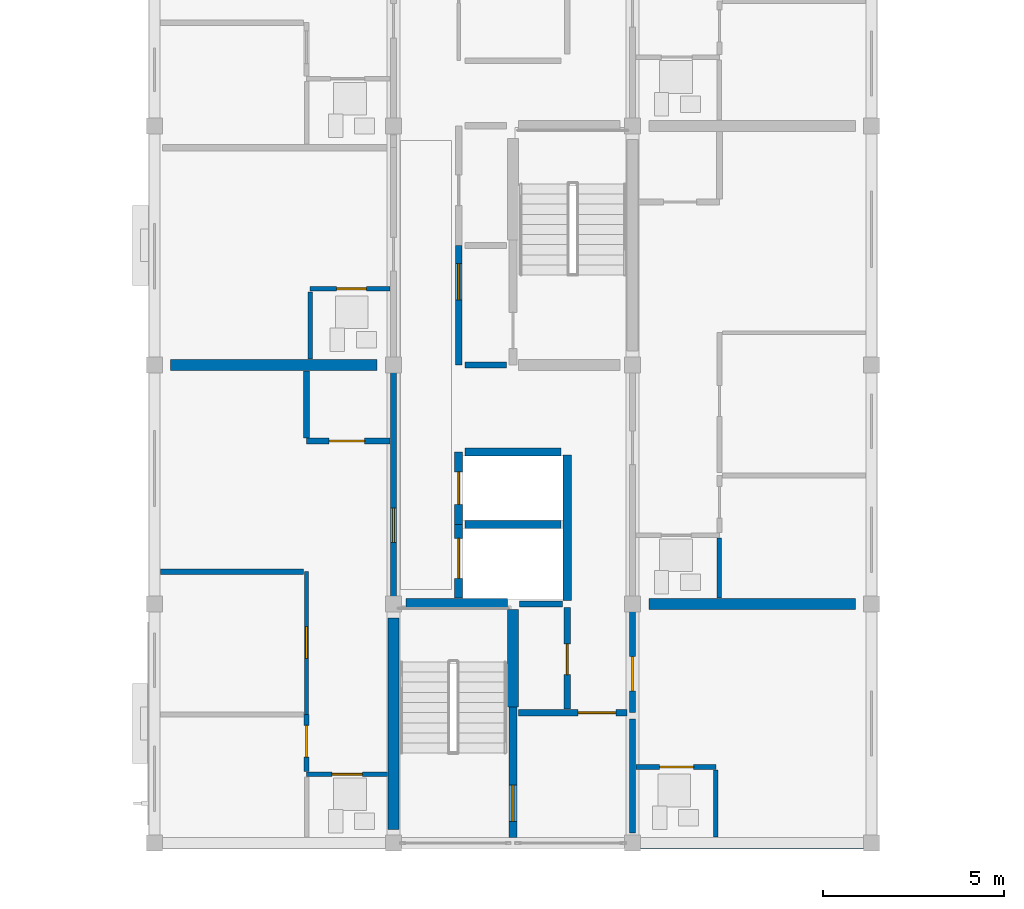
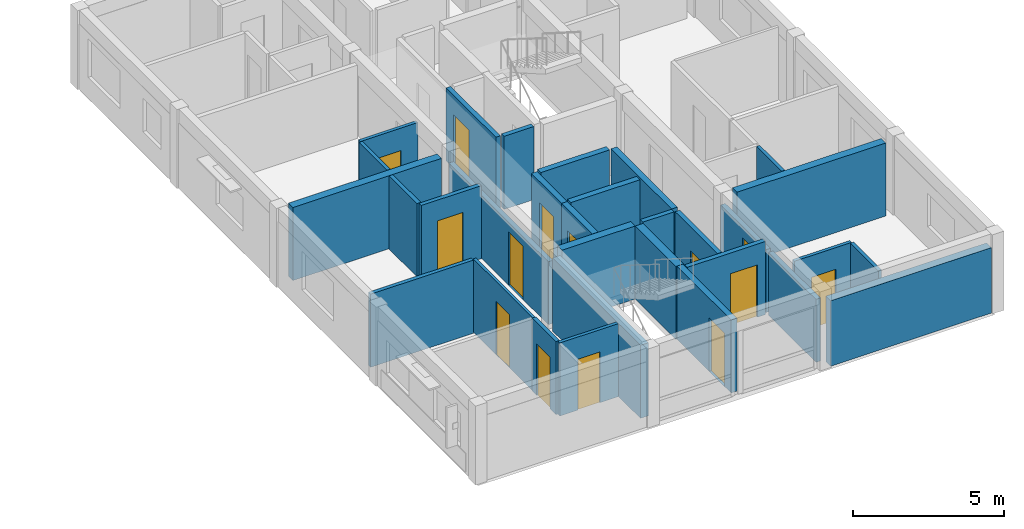
# One storey, part 31 of 53: 31 walls, 14 doors, 14 openings.
"""IFC4 building model written with IfcOpenShell, lengths in metres."""

from ifc_helpers import new_model, si_unit, direction, frame, frame_2d, origin, place, context, subcontext, project, spatial, rectangle, extrude, material, layer, layer_set, type_object, element, fill, save


model = new_model("IFC4")

# Units and contexts
model_context = context("Model", 3, precision=1e-05, world=origin(), true_north=direction((0.0, 1.0)))
body_context = subcontext(model_context, "Body", "Model", "MODEL_VIEW")
ifc_project = project(units=[si_unit("LENGTHUNIT", "METRE"), si_unit("AREAUNIT", "SQUARE_METRE"), si_unit("VOLUMEUNIT", "CUBIC_METRE"), si_unit("PLANEANGLEUNIT", "RADIAN"), si_unit("MASSUNIT", "GRAM", prefix="KILO")], contexts=[model_context])

# Site, building, storey
site_placement = place(None, origin())
site = spatial("IfcSite", under=ifc_project, at=site_placement, CompositionType="ELEMENT")
building_placement = place(site_placement, origin())
building = spatial("IfcBuilding", under=site, at=building_placement, Name="Kernevlak Ridge Housing Community", CompositionType="ELEMENT")
storey_placement = place(building_placement, frame((0.0, 0.0, 18.0)))
storey = spatial("IfcBuildingStorey", under=building, at=storey_placement, Name="L05", CompositionType="ELEMENT", Elevation=18.0)

# Wall
ifc_material_1 = material(Name="Concrete block masonry M10", Category="masonry")
ifc_layer_1 = layer(ifc_material_1, 0.320068359375, Name="Concrete block masonry M10")
ifc_layer_set_1 = layer_set([ifc_layer_1], Name="Concrete block masonry M10")
wall_type_1 = type_object("IfcWallType", Name="EW-02", PredefinedType="STANDARD", material=ifc_layer_set_1)
wall_1_placement = place(storey_placement, frame((139.425048828125, 15.60009765625, 0.0), z_axis=(0.0, 0.0, 1.0), x_axis=(1.0, 0.0, 0.0)))
element("IfcWall", 1, at=wall_1_placement, inside=storey, type_object=wall_type_1, Name="Exterior wall EW-02 L05 611", PredefinedType="STANDARD", context=body_context, shape_type="SweptSolid", body=[
    extrude(rectangle(XDim=6.14990234375, YDim=0.320068359375, at=frame_2d((3.074951171875, 0.0))), origin(), (0.0, 0.0, 1.0), 2.64990234375),
])

# Wall, opening, door
ifc_material_2 = material(Name="Concrete C35/45", Category="concrete")
ifc_layer_2 = layer(ifc_material_2, 0.22509765625, Name="Concrete C35/45")
ifc_layer_set_2 = layer_set([ifc_layer_2], Name="Concrete C35/45")
wall_type_2 = type_object("IfcWallType", Name="PW-01", PredefinedType="STANDARD", material=ifc_layer_set_2)
wall_2_placement = place(storey_placement, frame((135.89990234375, 15.75, 0.0), z_axis=(0.0, 0.0, 1.0), x_axis=(0.0, 1.0, 0.0)))
wall_2 = element("IfcWall", 2, at=wall_2_placement, inside=storey, type_object=wall_type_2, Name="Interior wall PW-01 WAL-INT-L05-2430", PredefinedType="STANDARD", context=body_context, shape_type="SweptSolid", body=[
    extrude(rectangle(XDim=3.60009765625, YDim=0.22509765625, at=frame_2d((1.800048828125, 0.0))), origin(), (0.0, 0.0, 1.0), 2.9599609375),
])
opening_1_placement = place(wall_2_placement, frame((0.449951171875, 0.0, 0.0)))
opening_1 = element("IfcOpeningElement", 3, at=opening_1_placement, cuts=wall_2, Name="Opening E233", PredefinedType="OPENING", context=body_context, shape_type="SweptSolid", body=[
    extrude(rectangle(XDim=1.0, YDim=2.159912109375, at=frame_2d((0.5, 1.080078125))), frame((0.0, 0.12255859375, 0.0), z_axis=(0.0, -1.0, 0.0), x_axis=(1.0, 0.0, 0.0)), (0.0, 0.0, 1.0), 0.2451171875),
])
ifc_material_3 = material(Name="Fire-rated sheet steel leaf", Category="steel")
door_type_1 = type_object("IfcDoorType", Name="DT-15", OperationType="NOTDEFINED", PredefinedType="DOOR", material=ifc_material_3)
door_1_placement = place(opening_1_placement, origin())
door_1 = element("IfcDoor", 4, at=door_1_placement, inside=storey, type_object=door_type_1, Name="Block C Stair 1 fire door E233", OperationType="SINGLE_SWING_RIGHT", OverallHeight=2.159912109375, OverallWidth=1.0, PredefinedType="DOOR", context=body_context, shape_type="SweptSolid", body=[
    extrude(rectangle(XDim=1.0, YDim=2.159912109375, at=frame_2d((0.5, 1.080078125))), frame((0.0, 0.02490234375, 0.0), z_axis=(0.0, -1.0, 0.0), x_axis=(1.0, 0.0, 0.0)), (0.0, 0.0, 1.0), 0.050048828125),
])
fill(opening_1, door_1)

wall_3_placement = place(storey_placement, frame((134.39990234375, 22.360107421875, 0.0), z_axis=(0.0, 0.0, 1.0), x_axis=(0.0, 1.0, 0.0)))
wall_3 = element("IfcWall", 5, at=wall_3_placement, inside=storey, type_object=wall_type_2, Name="Interior wall PW-01 WAL-INT-L05-2434", PredefinedType="STANDARD", context=body_context, shape_type="SweptSolid", body=[
    extrude(rectangle(XDim=2.039794921875, YDim=0.22509765625, at=frame_2d((1.02001953125, 0.0))), origin(), (0.0, 0.0, 1.0), 2.9599609375),
])
opening_2_placement = place(wall_3_placement, frame((0.550048828125, 0.0, 0.0)))
opening_2 = element("IfcOpeningElement", 6, at=opening_2_placement, cuts=wall_3, Name="Opening LD65", PredefinedType="OPENING", context=body_context, shape_type="SweptSolid", body=[
    extrude(rectangle(XDim=1.10009765625, YDim=2.10009765625, at=frame_2d((0.550048828125, 1.050048828125))), frame((0.0, 0.12255859375, 0.0), z_axis=(0.0, -1.0, 0.0), x_axis=(1.0, 0.0, 0.0)), (0.0, 0.0, 1.0), 0.2451171875),
])
ifc_material_4 = material(Name="Stainless steel EN 1.4401", Category="steel")
door_type_2 = type_object("IfcDoorType", Name="DT-LD1", OperationType="DOUBLE_DOOR_SLIDING", PredefinedType="DOOR", material=ifc_material_4)
door_2_placement = place(opening_2_placement, origin())
door_2 = element("IfcDoor", 7, at=door_2_placement, inside=storey, type_object=door_type_2, Name="Lift LF-C1 landing door LD65", OperationType="DOUBLE_DOOR_SLIDING", OverallHeight=2.10009765625, OverallWidth=1.10009765625, PredefinedType="DOOR", context=body_context, shape_type="SweptSolid", body=[
    extrude(rectangle(XDim=1.10009765625, YDim=2.10009765625, at=frame_2d((0.550048828125, 1.050048828125))), frame((0.0, 0.02490234375, 0.0), z_axis=(0.0, -1.0, 0.0), x_axis=(1.0, 0.0, 0.0)), (0.0, 0.0, 1.0), 0.050048828125),
])
fill(opening_2, door_2)

wall_4_placement = place(storey_placement, frame((134.39990234375, 24.39990234375, 0.0), z_axis=(0.0, 0.0, 1.0), x_axis=(0.0, 1.0, 0.0)))
wall_4 = element("IfcWall", 8, at=wall_4_placement, inside=storey, type_object=wall_type_2, Name="Interior wall PW-01 WAL-INT-L05-2435", PredefinedType="STANDARD", context=body_context, shape_type="SweptSolid", body=[
    extrude(rectangle(XDim=2.0, YDim=0.22509765625, at=frame_2d((1.0, 0.0))), origin(), (0.0, 0.0, 1.0), 2.9599609375),
])
opening_3_placement = place(wall_4_placement, frame((0.550048828125, 0.0, 0.0)))
opening_3 = element("IfcOpeningElement", 9, at=opening_3_placement, cuts=wall_4, Name="Opening LD66", PredefinedType="OPENING", context=body_context, shape_type="SweptSolid", body=[
    extrude(rectangle(XDim=0.89990234375, YDim=2.10009765625, at=frame_2d((0.449951171875, 1.050048828125))), frame((0.0, 0.12255859375, 0.0), z_axis=(0.0, -1.0, 0.0), x_axis=(1.0, 0.0, 0.0)), (0.0, 0.0, 1.0), 0.2451171875),
])
door_type_3 = type_object("IfcDoorType", Name="DT-LD2", OperationType="DOUBLE_DOOR_SLIDING", PredefinedType="DOOR", material=ifc_material_4)
door_3_placement = place(opening_3_placement, origin())
door_3 = element("IfcDoor", 10, at=door_3_placement, inside=storey, type_object=door_type_3, Name="Lift LF-C2 landing door LD66", OperationType="DOUBLE_DOOR_SLIDING", OverallHeight=2.10009765625, OverallWidth=0.89990234375, PredefinedType="DOOR", context=body_context, shape_type="SweptSolid", body=[
    extrude(rectangle(XDim=0.89990234375, YDim=2.10009765625, at=frame_2d((0.449951171875, 1.050048828125))), frame((0.0, 0.02490234375, 0.0), z_axis=(0.0, -1.0, 0.0), x_axis=(1.0, 0.0, 0.0)), (0.0, 0.0, 1.0), 0.050048828125),
])
fill(opening_3, door_3)

# Walls
wall_5_placement = place(storey_placement, frame((137.39990234375, 22.297607421875, 0.0), z_axis=(0.0, 0.0, 1.0), x_axis=(0.0, 1.0, 0.0)))
element("IfcWall", 11, at=wall_5_placement, inside=storey, type_object=wall_type_2, Name="Interior wall PW-01 WAL-INT-L05-2436", PredefinedType="STANDARD", context=body_context, shape_type="SweptSolid", body=[
    extrude(rectangle(XDim=4.0224609375, YDim=0.22509765625, at=frame_2d((2.01123046875, 0.0))), origin(), (0.0, 0.0, 1.0), 2.9599609375),
])
for number, where, z_axis, x_axis, name in (
    (12, (134.580078125, 24.39990234375, 0.0), (0.0, 0.0, 1.0), (1.0, 0.0, 0.0), "Interior wall PW-01 WAL-INT-L05-2438"),
    (13, (134.580078125, 26.39990234375, 0.0), (0.0, 0.0, 1.0), (1.0, 0.0, 0.0), "Interior wall PW-01 WAL-INT-L05-2439"),
):
    element("IfcWall", number, at=place(storey_placement, frame(where, z_axis=z_axis, x_axis=x_axis)), inside=storey, type_object=wall_type_2, Name=name, PredefinedType="STANDARD", context=body_context, shape_type="SweptSolid", body=[
        extrude(rectangle(XDim=2.639892578125, YDim=0.22509765625, at=frame_2d((1.31982421875, 0.0))), origin(), (0.0, 0.0, 1.0), 2.9599609375),
    ])

# Wall, opening, door
ifc_layer_3 = layer(ifc_material_1, 0.175048828125, Name="Concrete block masonry M10")
ifc_layer_set_3 = layer_set([ifc_layer_3], Name="Concrete block masonry M10")
wall_type_3 = type_object("IfcWallType", Name="PW-02", PredefinedType="PARTITIONING", material=ifc_layer_set_3)
wall_6_placement = place(storey_placement, frame((136.050048828125, 19.199951171875, 0.0), z_axis=(0.0, 0.0, 1.0), x_axis=(1.0, 0.0, 0.0)))
wall_6 = element("IfcWall", 14, at=wall_6_placement, inside=storey, type_object=wall_type_3, Name="Interior wall PW-02 WAL-INT-L05-2431", PredefinedType="PARTITIONING", context=body_context, shape_type="SweptSolid", body=[
    extrude(rectangle(XDim=3.0, YDim=0.175048828125, at=frame_2d((1.5, 0.0))), origin(), (0.0, 0.0, 1.0), 2.9599609375),
])
opening_4_placement = place(wall_6_placement, frame((1.64990234375, 0.0, 0.0)))
opening_4 = element("IfcOpeningElement", 15, at=opening_4_placement, cuts=wall_6, Name="Opening E234", PredefinedType="OPENING", context=body_context, shape_type="SweptSolid", body=[
    extrude(rectangle(XDim=1.0400390625, YDim=2.1201171875, at=frame_2d((0.52001953125, 1.06005859375))), frame((0.0, 0.097412109375, 0.0), z_axis=(0.0, -1.0, 0.0), x_axis=(1.0, 0.0, 0.0)), (0.0, 0.0, 1.0), 0.195068359375),
])
door_type_4 = type_object("IfcDoorType", Name="DT-16", OperationType="NOTDEFINED", PredefinedType="DOOR", material=ifc_material_3)
door_4_placement = place(opening_4_placement, origin())
door_4 = element("IfcDoor", 16, at=door_4_placement, inside=storey, type_object=door_type_4, Name="Block C Firefighting lobby 1 door E234", OperationType="SINGLE_SWING_LEFT", OverallHeight=2.1201171875, OverallWidth=1.0400390625, PredefinedType="DOOR", context=body_context, shape_type="SweptSolid", body=[
    extrude(rectangle(XDim=1.0400390625, YDim=2.1201171875, at=frame_2d((0.52001953125, 1.06005859375))), frame((0.0, 0.02490234375, 0.0), z_axis=(0.0, -1.0, 0.0), x_axis=(1.0, 0.0, 0.0)), (0.0, 0.0, 1.0), 0.050048828125),
])
fill(opening_4, door_4)

wall_7_placement = place(storey_placement, frame((137.39990234375, 19.300048828125, 0.0), z_axis=(0.0, 0.0, 1.0), x_axis=(0.0, 1.0, 0.0)))
wall_7 = element("IfcWall", 17, at=wall_7_placement, inside=storey, type_object=wall_type_3, Name="Interior wall PW-02 WAL-INT-L05-2432", PredefinedType="PARTITIONING", context=body_context, shape_type="SweptSolid", body=[
    extrude(rectangle(XDim=2.800048828125, YDim=0.175048828125, at=frame_2d((1.39990234375, 0.0))), origin(), (0.0, 0.0, 1.0), 2.9599609375),
])
opening_5_placement = place(wall_7_placement, frame((0.949951171875, 0.0, 0.0)))
opening_5 = element("IfcOpeningElement", 18, at=opening_5_placement, cuts=wall_7, Name="Opening E235", PredefinedType="OPENING", context=body_context, shape_type="SweptSolid", body=[
    extrude(rectangle(XDim=0.85009765625, YDim=2.0, at=frame_2d((0.425048828125, 1.0))), frame((0.0, 0.097412109375, 0.0), z_axis=(0.0, -1.0, 0.0), x_axis=(1.0, 0.0, 0.0)), (0.0, 0.0, 1.0), 0.195068359375),
])
door_type_5 = type_object("IfcDoorType", Name="DT-07", OperationType="NOTDEFINED", PredefinedType="DOOR", material=ifc_material_3)
door_5_placement = place(opening_5_placement, origin())
door_5 = element("IfcDoor", 19, at=door_5_placement, inside=storey, type_object=door_type_5, Name="Block C Riser shaft door E235", OperationType="SINGLE_SWING_RIGHT", OverallHeight=2.0, OverallWidth=0.85009765625, PredefinedType="DOOR", context=body_context, shape_type="SweptSolid", body=[
    extrude(rectangle(XDim=0.85009765625, YDim=2.0, at=frame_2d((0.425048828125, 1.0))), frame((0.0, 0.02490234375, 0.0), z_axis=(0.0, -1.0, 0.0), x_axis=(1.0, 0.0, 0.0)), (0.0, 0.0, 1.0), 0.050048828125),
])
fill(opening_5, door_5)

# Wall
wall_8_placement = place(storey_placement, frame((136.080078125, 22.199951171875, 0.0), z_axis=(0.0, 0.0, 1.0), x_axis=(1.0, 0.0, 0.0)))
element("IfcWall", 20, at=wall_8_placement, inside=storey, type_object=wall_type_3, Name="Interior wall PW-02 WAL-INT-L05-2433", PredefinedType="PARTITIONING", context=body_context, shape_type="SweptSolid", body=[
    extrude(rectangle(XDim=1.18994140625, YDim=0.175048828125, at=frame_2d((0.594970703125, 0.0))), origin(), (0.0, 0.0, 1.0), 2.9599609375),
])

# Wall, opening, door
wall_9_placement = place(storey_placement, frame((134.39990234375, 28.800048828125, 0.0), z_axis=(0.0, 0.0, 1.0), x_axis=(0.0, 1.0, 0.0)))
wall_9 = element("IfcWall", 21, at=wall_9_placement, inside=storey, type_object=wall_type_3, Name="Interior wall PW-02 WAL-INT-L05-2441", PredefinedType="PARTITIONING", context=body_context, shape_type="SweptSolid", body=[
    extrude(rectangle(XDim=3.300048828125, YDim=0.175048828125, at=frame_2d((1.64990234375, 0.0))), origin(), (0.0, 0.0, 1.0), 2.9599609375),
])
opening_6_placement = place(wall_9_placement, frame((1.800048828125, 0.0, 0.0)))
opening_6 = element("IfcOpeningElement", 22, at=opening_6_placement, cuts=wall_9, Name="Opening E237", PredefinedType="OPENING", context=body_context, shape_type="SweptSolid", body=[
    extrude(rectangle(XDim=1.0, YDim=2.159912109375, at=frame_2d((0.5, 1.080078125))), frame((0.0, 0.097412109375, 0.0), z_axis=(0.0, -1.0, 0.0), x_axis=(1.0, 0.0, 0.0)), (0.0, 0.0, 1.0), 0.195068359375),
])
door_6_placement = place(opening_6_placement, origin())
door_6 = element("IfcDoor", 23, at=door_6_placement, inside=storey, type_object=door_type_1, Name="Block C Firefighting lobby 2 door E237", OperationType="SINGLE_SWING_RIGHT", OverallHeight=2.159912109375, OverallWidth=1.0, PredefinedType="DOOR", context=body_context, shape_type="SweptSolid", body=[
    extrude(rectangle(XDim=1.0, YDim=2.159912109375, at=frame_2d((0.5, 1.080078125))), frame((0.0, 0.02490234375, 0.0), z_axis=(0.0, -1.0, 0.0), x_axis=(1.0, 0.0, 0.0)), (0.0, 0.0, 1.0), 0.050048828125),
])
fill(opening_6, door_6)

# Wall
wall_10_placement = place(storey_placement, frame((134.580078125, 28.800048828125, 0.0), z_axis=(0.0, 0.0, 1.0), x_axis=(1.0, 0.0, 0.0)))
element("IfcWall", 24, at=wall_10_placement, inside=storey, type_object=wall_type_3, Name="Interior wall PW-02 WAL-INT-L05-2443", PredefinedType="PARTITIONING", context=body_context, shape_type="SweptSolid", body=[
    extrude(rectangle(XDim=1.139892578125, YDim=0.175048828125, at=frame_2d((0.56982421875, 0.0))), origin(), (0.0, 0.0, 1.0), 2.9599609375),
])

# Wall, opening, door
wall_11_placement = place(storey_placement, frame((132.60009765625, 22.199951171875, 0.0), z_axis=(0.0, 0.0, 1.0), x_axis=(0.0, 1.0, 0.0)))
wall_11 = element("IfcWall", 25, at=wall_11_placement, inside=storey, type_object=wall_type_3, Name="Interior wall PW-02 WAL-INT-L05-2449", PredefinedType="PARTITIONING", context=body_context, shape_type="SweptSolid", body=[
    extrude(rectangle(XDim=6.60009765625, YDim=0.175048828125, at=frame_2d((3.300048828125, 0.0))), origin(), (0.0, 0.0, 1.0), 2.550048828125),
])
opening_7_placement = place(wall_11_placement, frame((1.699951171875, 0.0, 0.0)))
opening_7 = element("IfcOpeningElement", 26, at=opening_7_placement, cuts=wall_11, Name="Opening E240", PredefinedType="OPENING", context=body_context, shape_type="SweptSolid", body=[
    extrude(rectangle(XDim=0.949951171875, YDim=2.159912109375, at=frame_2d((0.47509765625, 1.080078125))), frame((0.0, 0.097412109375, 0.0), z_axis=(0.0, -1.0, 0.0), x_axis=(1.0, 0.0, 0.0)), (0.0, 0.0, 1.0), 0.195068359375),
])
ifc_material_5 = material(Name="Hardwood timber solid-core fire leaf", Category="wood")
door_type_6 = type_object("IfcDoorType", Name="DT-02", OperationType="NOTDEFINED", PredefinedType="DOOR", material=ifc_material_5)
door_7_placement = place(opening_7_placement, origin())
door_7 = element("IfcDoor", 27, at=door_7_placement, inside=storey, type_object=door_type_6, Name="Flat C0511 entrance fire door E240", OperationType="SINGLE_SWING_LEFT", OverallHeight=2.159912109375, OverallWidth=0.949951171875, PredefinedType="DOOR", context=body_context, shape_type="SweptSolid", body=[
    extrude(rectangle(XDim=0.949951171875, YDim=2.159912109375, at=frame_2d((0.47509765625, 1.080078125))), frame((0.0, 0.02490234375, 0.0), z_axis=(0.0, -1.0, 0.0), x_axis=(1.0, 0.0, 0.0)), (0.0, 0.0, 1.0), 0.050048828125),
])
fill(opening_7, door_7)

# Wall
wall_12_placement = place(storey_placement, frame((139.199951171875, 15.8798828125, 0.0), z_axis=(0.0, 0.0, 1.0), x_axis=(0.0, 1.0, 0.0)))
element("IfcWall", 28, at=wall_12_placement, inside=storey, type_object=wall_type_3, Name="Interior wall PW-02 WAL-INT-L05-2469", PredefinedType="PARTITIONING", context=body_context, shape_type="SweptSolid", body=[
    extrude(rectangle(XDim=3.14013671875, YDim=0.175048828125, at=frame_2d((1.570068359375, 0.0))), origin(), (0.0, 0.0, 1.0), 2.550048828125),
])

# Wall, opening, door
wall_13_placement = place(storey_placement, frame((139.199951171875, 19.199951171875, 0.0), z_axis=(0.0, 0.0, 1.0), x_axis=(0.0, 1.0, 0.0)))
wall_13 = element("IfcWall", 29, at=wall_13_placement, inside=storey, type_object=wall_type_3, Name="Interior wall PW-02 WAL-INT-L05-2470", PredefinedType="PARTITIONING", context=body_context, shape_type="SweptSolid", body=[
    extrude(rectangle(XDim=3.0, YDim=0.175048828125, at=frame_2d((1.5, 0.0))), origin(), (0.0, 0.0, 1.0), 2.550048828125),
])
opening_8_placement = place(wall_13_placement, frame((0.60009765625, 0.0, 0.0)))
opening_8 = element("IfcOpeningElement", 30, at=opening_8_placement, cuts=wall_13, Name="Opening E251", PredefinedType="OPENING", context=body_context, shape_type="SweptSolid", body=[
    extrude(rectangle(XDim=0.949951171875, YDim=2.10009765625, at=frame_2d((0.47509765625, 1.050048828125))), frame((0.0, 0.097412109375, 0.0), z_axis=(0.0, -1.0, 0.0), x_axis=(1.0, 0.0, 0.0)), (0.0, 0.0, 1.0), 0.195068359375),
])
door_type_7 = type_object("IfcDoorType", Name="DT-01", OperationType="NOTDEFINED", PredefinedType="DOOR", material=ifc_material_5)
door_8_placement = place(opening_8_placement, origin())
door_8 = element("IfcDoor", 31, at=door_8_placement, inside=storey, type_object=door_type_7, Name="Flat C0521 entrance fire door E251", OperationType="SINGLE_SWING_RIGHT", OverallHeight=2.10009765625, OverallWidth=0.949951171875, PredefinedType="DOOR", context=body_context, shape_type="SweptSolid", body=[
    extrude(rectangle(XDim=0.949951171875, YDim=2.10009765625, at=frame_2d((0.47509765625, 1.050048828125))), frame((0.0, 0.02490234375, 0.0), z_axis=(0.0, -1.0, 0.0), x_axis=(1.0, 0.0, 0.0)), (0.0, 0.0, 1.0), 0.050048828125),
])
fill(opening_8, door_8)

ifc_layer_4 = layer(ifc_material_1, 0.14501953125, Name="Concrete block masonry M10")
ifc_layer_set_4 = layer_set([ifc_layer_4], Name="Concrete block masonry M10")
wall_type_4 = type_object("IfcWallType", Name="PW-03", PredefinedType="PARTITIONING", material=ifc_layer_set_4)
wall_14_placement = place(storey_placement, frame((130.199951171875, 17.572509765625, 0.0), z_axis=(0.0, 0.0, 1.0), x_axis=(0.0, 1.0, 0.0)))
wall_14 = element("IfcWall", 32, at=wall_14_placement, inside=storey, type_object=wall_type_4, Name="Interior wall PW-03 WAL-INT-L05-2454", PredefinedType="PARTITIONING", context=body_context, shape_type="SweptSolid", body=[
    extrude(rectangle(XDim=1.577392578125, YDim=0.14501953125, at=frame_2d((0.78857421875, 0.0))), origin(), (0.0, 0.0, 1.0), 2.9599609375),
])
opening_9_placement = place(wall_14_placement, frame((0.39990234375, 0.0, 0.0)))
opening_9 = element("IfcOpeningElement", 33, at=opening_9_placement, cuts=wall_14, Name="Opening E243", PredefinedType="OPENING", context=body_context, shape_type="SweptSolid", body=[
    extrude(rectangle(XDim=0.8798828125, YDim=2.10009765625, at=frame_2d((0.43994140625, 1.050048828125))), frame((0.0, 0.08251953125, 0.0), z_axis=(0.0, -1.0, 0.0), x_axis=(1.0, 0.0, 0.0)), (0.0, 0.0, 1.0), 0.1650390625),
])
ifc_material_6 = material(Name="Hardwood timber leaf", Category="wood")
door_type_8 = type_object("IfcDoorType", Name="DT-25", OperationType="NOTDEFINED", PredefinedType="DOOR", material=ifc_material_6)
door_9_placement = place(opening_9_placement, origin())
door_9 = element("IfcDoor", 34, at=door_9_placement, inside=storey, type_object=door_type_8, Name="Flat C0511 bedroom door E243", OperationType="SINGLE_SWING_RIGHT", OverallHeight=2.10009765625, OverallWidth=0.8798828125, PredefinedType="DOOR", context=body_context, shape_type="SweptSolid", body=[
    extrude(rectangle(XDim=0.8798828125, YDim=2.10009765625, at=frame_2d((0.43994140625, 1.050048828125))), frame((0.0, 0.02490234375, 0.0), z_axis=(0.0, -1.0, 0.0), x_axis=(1.0, 0.0, 0.0)), (0.0, 0.0, 1.0), 0.050048828125),
])
fill(opening_9, door_9)

# Wall
wall_15_placement = place(storey_placement, frame((130.1201171875, 23.092041015625, 0.0), z_axis=(0.0, 0.0, 1.0), x_axis=(-1.0, 0.0, 0.0)))
element("IfcWall", 35, at=wall_15_placement, inside=storey, type_object=wall_type_4, Name="Interior wall PW-03 WAL-INT-L05-2457", PredefinedType="PARTITIONING", context=body_context, shape_type="SweptSolid", body=[
    extrude(rectangle(XDim=3.9501953125, YDim=0.14501953125, at=frame_2d((1.97509765625, 0.0))), origin(), (0.0, 0.0, 1.0), 2.9599609375),
])

# Wall, opening, door
ifc_material_7 = material(Name="Gypsum plasterboard EN 520", Category="gypsum")
ifc_layer_5 = layer(ifc_material_7, 0.125, Name="Gypsum plasterboard EN 520")
ifc_layer_set_5 = layer_set([ifc_layer_5], Name="Gypsum plasterboard EN 520")
wall_type_5 = type_object("IfcWallType", Name="PW-04", PredefinedType="PARTITIONING", material=ifc_layer_set_5)
wall_16_placement = place(storey_placement, frame((132.43994140625, 17.5, 0.0), z_axis=(0.0, 0.0, 1.0), x_axis=(-1.0, 0.0, 0.0)))
wall_16 = element("IfcWall", 36, at=wall_16_placement, inside=storey, type_object=wall_type_5, Name="Interior wall PW-04 WAL-INT-L05-2450", PredefinedType="PARTITIONING", context=body_context, shape_type="SweptSolid", body=[
    extrude(rectangle(XDim=2.239990234375, YDim=0.125, at=frame_2d((1.1201171875, 0.0))), origin(), (0.0, 0.0, 1.0), 2.9599609375),
])
opening_10_placement = place(wall_16_placement, frame((0.699951171875, 0.0, 0.0)))
opening_10 = element("IfcOpeningElement", 37, at=opening_10_placement, cuts=wall_16, Name="Opening E241", PredefinedType="OPENING", context=body_context, shape_type="SweptSolid", body=[
    extrude(rectangle(XDim=0.840087890625, YDim=2.06005859375, at=frame_2d((0.419921875, 1.030029296875))), frame((0.0, 0.072509765625, 0.0), z_axis=(0.0, -1.0, 0.0), x_axis=(1.0, 0.0, 0.0)), (0.0, 0.0, 1.0), 0.14501953125),
])
ifc_material_8 = material(Name="Hardwood timber moisture-resistant leaf", Category="wood")
door_type_9 = type_object("IfcDoorType", Name="DT-27", OperationType="NOTDEFINED", PredefinedType="DOOR", material=ifc_material_8)
door_10_placement = place(opening_10_placement, origin())
door_10 = element("IfcDoor", 38, at=door_10_placement, inside=storey, type_object=door_type_9, Name="Flat C0511 bathroom door E241", OperationType="SINGLE_SWING_RIGHT", OverallHeight=2.06005859375, OverallWidth=0.840087890625, PredefinedType="DOOR", context=body_context, shape_type="SweptSolid", body=[
    extrude(rectangle(XDim=0.840087890625, YDim=2.06005859375, at=frame_2d((0.419921875, 1.030029296875))), frame((0.0, 0.02490234375, 0.0), z_axis=(0.0, -1.0, 0.0), x_axis=(1.0, 0.0, 0.0)), (0.0, 0.0, 1.0), 0.050048828125),
])
fill(opening_10, door_10)

wall_17_placement = place(storey_placement, frame((132.50244140625, 30.89990234375, 0.0), z_axis=(0.0, 0.0, 1.0), x_axis=(-1.0, 0.0, 0.0)))
wall_17 = element("IfcWall", 39, at=wall_17_placement, inside=storey, type_object=wall_type_5, Name="Interior wall PW-04 WAL-INT-L05-2459", PredefinedType="PARTITIONING", context=body_context, shape_type="SweptSolid", body=[
    extrude(rectangle(XDim=2.202392578125, YDim=0.125, at=frame_2d((1.10107421875, 0.0))), origin(), (0.0, 0.0, 1.0), 2.9599609375),
])
opening_11_placement = place(wall_17_placement, frame((0.64990234375, 0.0, 0.0)))
opening_11 = element("IfcOpeningElement", 40, at=opening_11_placement, cuts=wall_17, Name="Opening E246", PredefinedType="OPENING", context=body_context, shape_type="SweptSolid", body=[
    extrude(rectangle(XDim=0.820068359375, YDim=2.050048828125, at=frame_2d((0.41015625, 1.02490234375))), frame((0.0, 0.072509765625, 0.0), z_axis=(0.0, -1.0, 0.0), x_axis=(1.0, 0.0, 0.0)), (0.0, 0.0, 1.0), 0.14501953125),
])
door_type_10 = type_object("IfcDoorType", Name="DT-30", OperationType="NOTDEFINED", PredefinedType="DOOR", material=ifc_material_8)
door_11_placement = place(opening_11_placement, origin())
door_11 = element("IfcDoor", 41, at=door_11_placement, inside=storey, type_object=door_type_10, Name="Flat C0512 bathroom door E246", OperationType="SINGLE_SWING_LEFT", OverallHeight=2.050048828125, OverallWidth=0.820068359375, PredefinedType="DOOR", context=body_context, shape_type="SweptSolid", body=[
    extrude(rectangle(XDim=0.820068359375, YDim=2.050048828125, at=frame_2d((0.41015625, 1.02490234375))), frame((0.0, 0.02490234375, 0.0), z_axis=(0.0, -1.0, 0.0), x_axis=(1.0, 0.0, 0.0)), (0.0, 0.0, 1.0), 0.050048828125),
])
fill(opening_11, door_11)

# Wall
wall_18_placement = place(storey_placement, frame((130.300048828125, 28.9599609375, 0.0), z_axis=(0.0, 0.0, 1.0), x_axis=(0.0, 1.0, 0.0)))
element("IfcWall", 42, at=wall_18_placement, inside=storey, type_object=wall_type_5, Name="Interior wall PW-04 WAL-INT-L05-2460", PredefinedType="PARTITIONING", context=body_context, shape_type="SweptSolid", body=[
    extrude(rectangle(XDim=1.860107421875, YDim=0.125, at=frame_2d((0.93017578125, 0.0))), origin(), (0.0, 0.0, 1.0), 2.9599609375),
])

# Wall, opening, door
wall_19_placement = place(storey_placement, frame((139.297607421875, 17.699951171875, 0.0), z_axis=(0.0, 0.0, 1.0), x_axis=(1.0, 0.0, 0.0)))
wall_19 = element("IfcWall", 43, at=wall_19_placement, inside=storey, type_object=wall_type_5, Name="Interior wall PW-04 WAL-INT-L05-2471", PredefinedType="PARTITIONING", context=body_context, shape_type="SweptSolid", body=[
    extrude(rectangle(XDim=2.202392578125, YDim=0.125, at=frame_2d((1.10107421875, 0.0))), origin(), (0.0, 0.0, 1.0), 2.9599609375),
])
opening_12_placement = place(wall_19_placement, frame((0.64990234375, 0.0, 0.0)))
opening_12 = element("IfcOpeningElement", 44, at=opening_12_placement, cuts=wall_19, Name="Opening E252", PredefinedType="OPENING", context=body_context, shape_type="SweptSolid", body=[
    extrude(rectangle(XDim=0.93994140625, YDim=2.080078125, at=frame_2d((0.469970703125, 1.0400390625))), frame((0.0, 0.072509765625, 0.0), z_axis=(0.0, -1.0, 0.0), x_axis=(1.0, 0.0, 0.0)), (0.0, 0.0, 1.0), 0.14501953125),
])
door_type_11 = type_object("IfcDoorType", Name="DT-23", OperationType="NOTDEFINED", PredefinedType="DOOR", material=ifc_material_8)
door_12_placement = place(opening_12_placement, origin())
door_12 = element("IfcDoor", 45, at=door_12_placement, inside=storey, type_object=door_type_11, Name="Flat C0521 bathroom door E252", OperationType="SINGLE_SWING_LEFT", OverallHeight=2.080078125, OverallWidth=0.93994140625, PredefinedType="DOOR", context=body_context, shape_type="SweptSolid", body=[
    extrude(rectangle(XDim=0.93994140625, YDim=2.080078125, at=frame_2d((0.469970703125, 1.0400390625))), frame((0.0, 0.02490234375, 0.0), z_axis=(0.0, -1.0, 0.0), x_axis=(1.0, 0.0, 0.0)), (0.0, 0.0, 1.0), 0.050048828125),
])
fill(opening_12, door_12)

# Walls
wall_20_placement = place(storey_placement, frame((141.5, 15.77001953125, 0.0), z_axis=(0.0, 0.0, 1.0), x_axis=(0.0, 1.0, 0.0)))
element("IfcWall", 46, at=wall_20_placement, inside=storey, type_object=wall_type_5, Name="Interior wall PW-04 WAL-INT-L05-2472", PredefinedType="PARTITIONING", context=body_context, shape_type="SweptSolid", body=[
    extrude(rectangle(XDim=1.85009765625, YDim=0.125, at=frame_2d((0.925048828125, 0.0))), origin(), (0.0, 0.0, 1.0), 2.9599609375),
])
wall_21_placement = place(storey_placement, frame((141.60009765625, 22.360107421875, 0.0), z_axis=(0.0, 0.0, 1.0), x_axis=(0.0, 1.0, 0.0)))
element("IfcWall", 47, at=wall_21_placement, inside=storey, type_object=wall_type_5, Name="Interior wall PW-04 WAL-INT-L05-2475", PredefinedType="PARTITIONING", context=body_context, shape_type="SweptSolid", body=[
    extrude(rectangle(XDim=1.659912109375, YDim=0.125, at=frame_2d((0.830078125, 0.0))), origin(), (0.0, 0.0, 1.0), 2.9599609375),
])

# Wall, opening, door
ifc_layer_6 = layer(ifc_material_7, 0.155029296875, Name="Gypsum plasterboard EN 520")
ifc_layer_set_6 = layer_set([ifc_layer_6], Name="Gypsum plasterboard EN 520")
wall_type_6 = type_object("IfcWallType", Name="PW-05", PredefinedType="PARTITIONING", material=ifc_layer_set_6)
wall_22_placement = place(storey_placement, frame((132.50244140625, 26.699951171875, 0.0), z_axis=(0.0, 0.0, 1.0), x_axis=(-1.0, 0.0, 0.0)))
wall_22 = element("IfcWall", 48, at=wall_22_placement, inside=storey, type_object=wall_type_6, Name="Interior wall PW-05 WAL-INT-L05-2452", PredefinedType="PARTITIONING", context=body_context, shape_type="SweptSolid", body=[
    extrude(rectangle(XDim=2.302490234375, YDim=0.155029296875, at=frame_2d((1.1513671875, 0.0))), origin(), (0.0, 0.0, 1.0), 2.9599609375),
])
opening_13_placement = place(wall_22_placement, frame((0.699951171875, 0.0, 0.0)))
opening_13 = element("IfcOpeningElement", 49, at=opening_13_placement, cuts=wall_22, Name="Opening E242", PredefinedType="OPENING", context=body_context, shape_type="SweptSolid", body=[
    extrude(rectangle(XDim=0.97998046875, YDim=2.1201171875, at=frame_2d((0.489990234375, 1.06005859375))), frame((0.0, 0.08740234375, 0.0), z_axis=(0.0, -1.0, 0.0), x_axis=(1.0, 0.0, 0.0)), (0.0, 0.0, 1.0), 0.175048828125),
])
door_type_12 = type_object("IfcDoorType", Name="DT-24", OperationType="NOTDEFINED", PredefinedType="DOOR", material=ifc_material_6)
door_13_placement = place(opening_13_placement, origin())
door_13 = element("IfcDoor", 50, at=door_13_placement, inside=storey, type_object=door_type_12, Name="Flat C0511 kitchen door E242", OperationType="SINGLE_SWING_LEFT", OverallHeight=2.1201171875, OverallWidth=0.97998046875, PredefinedType="DOOR", context=body_context, shape_type="SweptSolid", body=[
    extrude(rectangle(XDim=0.97998046875, YDim=2.1201171875, at=frame_2d((0.489990234375, 1.06005859375))), frame((0.0, 0.02490234375, 0.0), z_axis=(0.0, -1.0, 0.0), x_axis=(1.0, 0.0, 0.0)), (0.0, 0.0, 1.0), 0.050048828125),
])
fill(opening_13, door_13)

# Wall
wall_23_placement = place(storey_placement, frame((130.199951171875, 26.78759765625, 0.0), z_axis=(0.0, 0.0, 1.0), x_axis=(0.0, 1.0, 0.0)))
element("IfcWall", 51, at=wall_23_placement, inside=storey, type_object=wall_type_6, Name="Interior wall PW-05 WAL-INT-L05-2453", PredefinedType="PARTITIONING", context=body_context, shape_type="SweptSolid", body=[
    extrude(rectangle(XDim=1.852294921875, YDim=0.155029296875, at=frame_2d((0.92626953125, 0.0))), origin(), (0.0, 0.0, 1.0), 2.9599609375),
])

# Wall, opening, door
ifc_layer_7 = layer(ifc_material_7, 0.10498046875, Name="Gypsum plasterboard EN 520")
ifc_layer_set_7 = layer_set([ifc_layer_7], Name="Gypsum plasterboard EN 520")
wall_type_7 = type_object("IfcWallType", Name="PW-06", PredefinedType="PARTITIONING", material=ifc_layer_set_7)
wall_24_placement = place(storey_placement, frame((130.199951171875, 19.14990234375, 0.0), z_axis=(0.0, 0.0, 1.0), x_axis=(0.0, 1.0, 0.0)))
wall_24 = element("IfcWall", 52, at=wall_24_placement, inside=storey, type_object=wall_type_7, Name="Interior wall PW-06 WAL-INT-L05-2456", PredefinedType="PARTITIONING", context=body_context, shape_type="SweptSolid", body=[
    extrude(rectangle(XDim=3.942138671875, YDim=0.10498046875, at=frame_2d((1.97119140625, 0.0))), origin(), (0.0, 0.0, 1.0), 2.9599609375),
])
opening_14_placement = place(wall_24_placement, frame((1.5458984375, 0.0, 0.0)))
opening_14 = element("IfcOpeningElement", 53, at=opening_14_placement, cuts=wall_24, Name="Opening E244", PredefinedType="OPENING", context=body_context, shape_type="SweptSolid", body=[
    extrude(rectangle(XDim=0.8798828125, YDim=2.159912109375, at=frame_2d((0.43994140625, 1.080078125))), frame((0.0, 0.0625, 0.0), z_axis=(0.0, -1.0, 0.0), x_axis=(1.0, 0.0, 0.0)), (0.0, 0.0, 1.0), 0.125),
])
door_type_13 = type_object("IfcDoorType", Name="DT-26", OperationType="NOTDEFINED", PredefinedType="DOOR", material=ifc_material_6)
door_14_placement = place(opening_14_placement, origin())
door_14 = element("IfcDoor", 54, at=door_14_placement, inside=storey, type_object=door_type_13, Name="Flat C0511 bedroom door E244", OperationType="SINGLE_SWING_LEFT", OverallHeight=2.159912109375, OverallWidth=0.8798828125, PredefinedType="DOOR", context=body_context, shape_type="SweptSolid", body=[
    extrude(rectangle(XDim=0.8798828125, YDim=2.159912109375, at=frame_2d((0.43994140625, 1.080078125))), frame((0.0, 0.02490234375, 0.0), z_axis=(0.0, -1.0, 0.0), x_axis=(1.0, 0.0, 0.0)), (0.0, 0.0, 1.0), 0.050048828125),
])
fill(opening_14, door_14)

# Walls
ifc_material_9 = material(Name="Concrete C40/50", Category="concrete")
ifc_layer_8 = layer(ifc_material_9, 0.300048828125, Name="Concrete C40/50")
ifc_layer_set_8 = layer_set([ifc_layer_8], Name="Concrete C40/50")
wall_type_8 = type_object("IfcWallType", Name="SW-02", PredefinedType="SHEAR", material=ifc_layer_set_8)
wall_25_placement = place(storey_placement, frame((132.60009765625, 15.97998046875, 0.0), z_axis=(0.0, 0.0, 1.0), x_axis=(0.0, 1.0, 0.0)))
element("IfcWall", 55, at=wall_25_placement, inside=storey, type_object=wall_type_8, Name="Shear wall SW-02 Block C L05 421", PredefinedType="SHEAR", context=body_context, shape_type="SweptSolid", body=[
    extrude(rectangle(XDim=5.840087890625, YDim=0.300048828125, at=frame_2d((2.919921875, 0.0))), origin(), (0.0, 0.0, 1.0), 2.9599609375),
])
wall_26_placement = place(storey_placement, frame((135.89990234375, 19.35009765625, 0.0), z_axis=(0.0, 0.0, 1.0), x_axis=(0.0, 1.0, 0.0)))
element("IfcWall", 56, at=wall_26_placement, inside=storey, type_object=wall_type_8, Name="Shear wall SW-02 Block C L05 422", PredefinedType="SHEAR", context=body_context, shape_type="SweptSolid", body=[
    extrude(rectangle(XDim=2.699951171875, YDim=0.300048828125, at=frame_2d((1.35009765625, 0.0))), origin(), (0.0, 0.0, 1.0), 2.9599609375),
])
wall_27_placement = place(storey_placement, frame((132.949951171875, 22.199951171875, 0.0), z_axis=(0.0, 0.0, 1.0), x_axis=(1.0, 0.0, 0.0)))
element("IfcWall", 57, at=wall_27_placement, inside=storey, type_object=wall_type_8, Name="Shear wall SW-02 Block C L05 423", PredefinedType="SHEAR", context=body_context, shape_type="SweptSolid", body=[
    extrude(rectangle(XDim=2.800048828125, YDim=0.300048828125, at=frame_2d((1.39990234375, 0.0))), origin(), (0.0, 0.0, 1.0), 2.9599609375),
])
wall_28_placement = place(storey_placement, frame((126.449951171875, 28.800048828125, 0.0), z_axis=(0.0, 0.0, 1.0), x_axis=(1.0, 0.0, 0.0)))
element("IfcWall", 58, at=wall_28_placement, inside=storey, type_object=wall_type_8, Name="Shear wall SW-02 Block C L05 428", PredefinedType="SHEAR", context=body_context, shape_type="SweptSolid", body=[
    extrude(rectangle(XDim=5.699951171875, YDim=0.300048828125, at=frame_2d((2.85009765625, 0.0))), origin(), (0.0, 0.0, 1.0), 2.9599609375),
])
wall_29_placement = place(storey_placement, frame((139.64990234375, 22.199951171875, 0.0), z_axis=(0.0, 0.0, 1.0), x_axis=(1.0, 0.0, 0.0)))
element("IfcWall", 59, at=wall_29_placement, inside=storey, type_object=wall_type_8, Name="Shear wall SW-02 Block C L05 429", PredefinedType="SHEAR", context=body_context, shape_type="SweptSolid", body=[
    extrude(rectangle(XDim=5.7001953125, YDim=0.300048828125, at=frame_2d((2.85009765625, 0.0))), origin(), (0.0, 0.0, 1.0), 2.9599609375),
])

save(model, "model.ifc")
